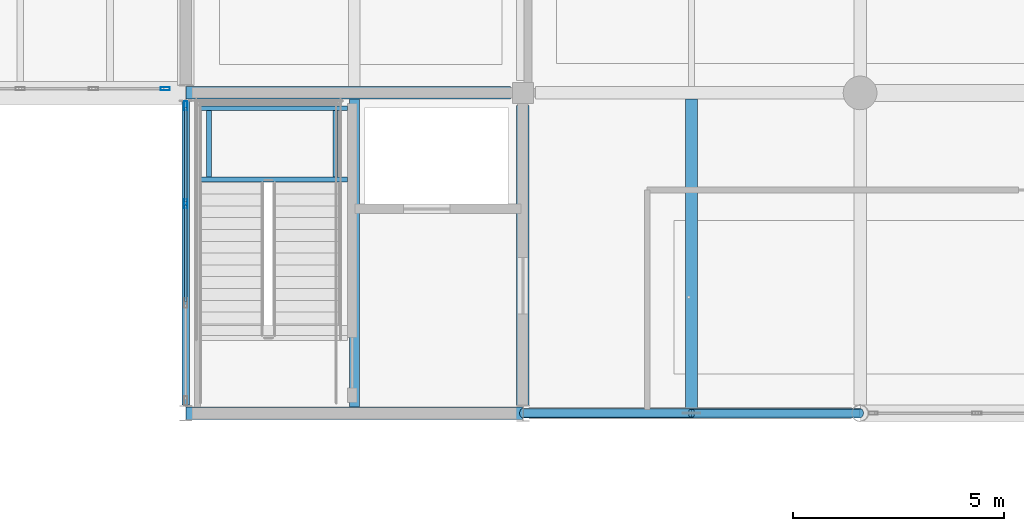
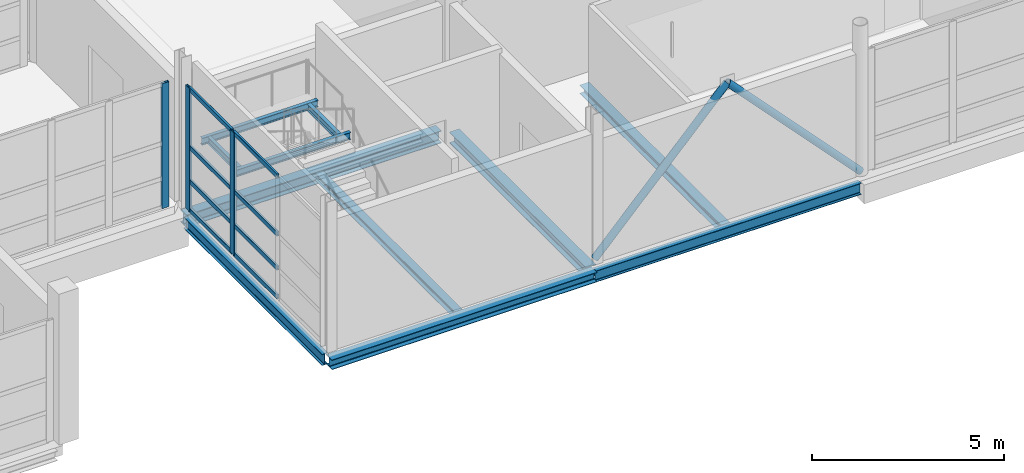
# One storey, part 45 of 141: 13 members, 11 beams, 2 elements without a shape of their own.
"""IFC4 building model written with IfcOpenShell, lengths in metres."""

from ifc_helpers import new_model, si_unit, direction, frame, origin, origin_2d, place, context, subcontext, project, spatial, hollow_rectangle, hollow_circle, i_section, extrude, material, material_profile, profile_set, type_object, element, aggregate, save


model = new_model("IFC4")

# Units and contexts
model_context = context("Model", 3, precision=1e-05, world=origin(), true_north=direction((0.0, 1.0)))
body_context = subcontext(model_context, "Body", "Model", "MODEL_VIEW")
ifc_project = project(units=[si_unit("LENGTHUNIT", "METRE"), si_unit("AREAUNIT", "SQUARE_METRE"), si_unit("VOLUMEUNIT", "CUBIC_METRE"), si_unit("PLANEANGLEUNIT", "RADIAN"), si_unit("MASSUNIT", "GRAM", prefix="KILO")], contexts=[model_context])

# Site, building, storey
site_placement = place(None, origin())
site = spatial("IfcSite", under=ifc_project, at=site_placement, CompositionType="ELEMENT")
building_placement = place(site_placement, origin())
building = spatial("IfcBuilding", under=site, at=building_placement, Name="Khelvaren Railside Concert Hall", CompositionType="ELEMENT")
storey_placement = place(building_placement, frame((0.0, 0.0, 10.199951171875)))
storey = spatial("IfcBuildingStorey", under=building, at=storey_placement, Name="L02", CompositionType="ELEMENT", Elevation=10.199951171875)

# Beams
ifc_material_1 = material(Name="Steel S355", Category="steel")
ifc_material_profile_1 = material_profile(ifc_material_1, i_section(OverallWidth=0.300048828125, OverallDepth=0.389892578125, WebThickness=0.010986328125, FlangeThickness=0.01904296875, FilletRadius=0.027099609375, at=origin_2d()), Name="HEA 400")
ifc_profile_set_1 = profile_set([ifc_material_profile_1], Name="Steel S355")
beam_type_1 = type_object("IfcBeamType", Name="BM23", PredefinedType="BEAM", material=ifc_profile_set_1)
beam_1_placement = place(storey_placement, frame((144.010009765625, 7.60009765625, -0.48486328125), z_axis=(1.0, 0.0, 0.0), x_axis=(0.0, 1.0, 0.0)))
element("IfcBeam", 1, at=beam_1_placement, inside=storey, type_object=beam_type_1, Name="V2 L02 Beam X2.1", PredefinedType="BEAM", context=body_context, shape_type="SweptSolid", body=[
    extrude(i_section(OverallWidth=0.300048828125, OverallDepth=0.389892578125, WebThickness=0.010986328125, FlangeThickness=0.01904296875, FilletRadius=0.027099609375, at=origin_2d()), origin(), (0.0, 0.0, 1.0), 7.68994140625),
])
ifc_material_profile_2 = material_profile(ifc_material_1, i_section(OverallWidth=0.300048828125, OverallDepth=0.35009765625, WebThickness=0.010009765625, FlangeThickness=0.017578125, FilletRadius=0.027099609375, at=origin_2d()), Name="HEA 360")
ifc_profile_set_2 = profile_set([ifc_material_profile_2], Name="Steel S355")
beam_type_2 = type_object("IfcBeamType", Name="BM73", PredefinedType="BEAM", material=ifc_profile_set_2)
beam_2_placement = place(storey_placement, frame((152.0, 0.179931640625, -0.46484375), z_axis=(0.0, 1.0, 0.0), x_axis=(-1.0, 0.0, 0.0)))
element("IfcBeam", 2, at=beam_2_placement, inside=storey, type_object=beam_type_2, Name="V2 L02 Beam Y2.1", PredefinedType="BEAM", context=body_context, shape_type="SweptSolid", body=[
    extrude(i_section(OverallWidth=0.300048828125, OverallDepth=0.35009765625, WebThickness=0.010009765625, FlangeThickness=0.017578125, FilletRadius=0.027099609375, at=origin_2d()), origin(), (0.0, 0.0, 1.0), 7.1201171875),
])
ifc_material_profile_3 = material_profile(ifc_material_1, i_section(OverallWidth=0.110107421875, OverallDepth=0.219970703125, WebThickness=0.005859375, FlangeThickness=0.00927734375, FilletRadius=0.011962890625, at=origin_2d()), Name="IPE 220")
ifc_profile_set_3 = profile_set([ifc_material_profile_3], Name="Steel S355")
beam_type_3 = type_object("IfcBeamType", Name="BM87", PredefinedType="BEAM", material=ifc_profile_set_3)
for number, where, z_axis, x_axis, name in (
    (3, (144.344970703125, 5.544921875, 2.090087890625), (1.0, 0.0, 0.0), (0.0, 1.0, 0.0), "ST-03 L02 Half-Landing Front Beam"),
    (4, (144.344970703125, 7.239990234375, 2.090087890625), (1.0, 0.0, 0.0), (0.0, 1.0, 0.0), "ST-03 L02 Half-Landing Rear Beam"),
):
    element("IfcBeam", number, at=place(storey_placement, frame(where, z_axis=z_axis, x_axis=x_axis)), inside=storey, type_object=beam_type_3, Name=name, PredefinedType="BEAM", context=body_context, shape_type="SweptSolid", body=[
        extrude(i_section(OverallWidth=0.110107421875, OverallDepth=0.219970703125, WebThickness=0.005859375, FlangeThickness=0.00927734375, FilletRadius=0.011962890625, at=origin_2d()), origin(), (0.0, 0.0, 1.0), 3.4951171875),
    ])
for number, where, z_axis, x_axis, name in (
    (5, (144.550048828125, 5.60009765625, 2.090087890625), (0.0, 1.0, 0.0), (-1.0, 0.0, 0.0), "ST-03 L02 Half-Landing Side Tie W"),
    (6, (147.550048828125, 5.60009765625, 2.090087890625), (0.0, 1.0, 0.0), (-1.0, 0.0, 0.0), "ST-03 L02 Half-Landing Side Tie E"),
):
    element("IfcBeam", number, at=place(storey_placement, frame(where, z_axis=z_axis, x_axis=x_axis)), inside=storey, type_object=beam_type_3, Name=name, PredefinedType="BEAM", context=body_context, shape_type="SweptSolid", body=[
        extrude(i_section(OverallWidth=0.110107421875, OverallDepth=0.219970703125, WebThickness=0.005859375, FlangeThickness=0.00927734375, FilletRadius=0.011962890625, at=origin_2d()), origin(), (0.0, 0.0, 1.0), 1.5849609375),
    ])

# Members
ifc_material_profile_4 = material_profile(ifc_material_1, hollow_circle(Radius=0.109619140625, WallThickness=0.012451171875, at=origin_2d()), Name="CHS 219.1x12.5")
ifc_profile_set_4 = profile_set([ifc_material_profile_4], Name="Steel S355")
member_type_1 = type_object("IfcMemberType", Name="BR37", PredefinedType="BRACE", material=ifc_profile_set_4)
for number, where, z_axis, x_axis, name in (
    (7, (152.0, 0.0, 0.050048828125), (0.687937954056, 0.0, 0.725769502921), (0.0, 1.0, 0.0), "V2 L02 Seismic Chevron Brace 53"),
    (8, (160.0, 0.0, 0.050048828125), (-0.687937954056, 0.0, 0.725769502921), (0.0, -1.0, 0.0), "V2 L02 Seismic Chevron Brace 54"),
):
    element("IfcMember", number, at=place(storey_placement, frame(where, z_axis=z_axis, x_axis=x_axis)), inside=storey, type_object=member_type_1, Name=name, PredefinedType="BRACE", context=body_context, shape_type="SweptSolid", body=[
        extrude(hollow_circle(Radius=0.109619140625, WallThickness=0.012451171875, at=origin_2d()), origin(), (0.0, 0.0, 1.0), 5.814453125),
    ])

# Curtain wall, members
ifc_material_2 = material(Name="Double-glazed clear foyer glass", Category="glass")
curtain_wall_type_1 = type_object("IfcCurtainWallType", Name="CW64", PredefinedType="USERDEFINED", material=ifc_material_2)
curtain_wall_1_placement = place(storey_placement, origin())
curtain_wall_1 = element("IfcCurtainWall", 9, at=curtain_wall_1_placement, inside=storey, type_object=curtain_wall_type_1, Name="Unitised Curtain Wall CW-V2-L02-W-0", ObjectType="UNITISED CURTAIN WALL", PredefinedType="USERDEFINED")
ifc_material_3 = material(Name="Anodised architectural aluminium 6063-T6", Category="aluminium")
ifc_material_profile_5 = material_profile(ifc_material_3, hollow_rectangle(XDim=0.074951171875, YDim=0.219970703125, WallThickness=0.0048828125, InnerFilletRadius=0.0029296875, OuterFilletRadius=0.0048828125, at=origin_2d()), Name="CWM 75x220x5")
ifc_profile_set_5 = profile_set([ifc_material_profile_5], Name="Anodised architectural aluminium 6063-T6")
member_type_2 = type_object("IfcMemberType", Name="CWM13", PredefinedType="MULLION", material=ifc_profile_set_5)
member_1_placement = place(storey_placement, frame((144.0, 4.972412109375, 0.0), z_axis=(0.0, 0.0, 1.0), x_axis=(-1.0, 0.0, 0.0)))
member_1 = element("IfcMember", 10, at=member_1_placement, type_object=member_type_2, Name="CW64 mullion 3", PredefinedType="MULLION", context=body_context, shape_type="SweptSolid", body=[
    extrude(hollow_rectangle(XDim=0.074951171875, YDim=0.219970703125, WallThickness=0.0048828125, InnerFilletRadius=0.0029296875, OuterFilletRadius=0.0048828125, at=origin_2d()), origin(), (0.0, 0.0, 1.0), 3.91015625),
])
member_2_placement = place(storey_placement, frame((144.0, 7.294921875, 0.0), z_axis=(0.0, 0.0, 1.0), x_axis=(-1.0, 0.0, 0.0)))
member_2 = element("IfcMember", 11, at=member_2_placement, type_object=member_type_2, Name="CW64 mullion 4", PredefinedType="MULLION", context=body_context, shape_type="SweptSolid", body=[
    extrude(hollow_rectangle(XDim=0.074951171875, YDim=0.219970703125, WallThickness=0.0048828125, InnerFilletRadius=0.0029296875, OuterFilletRadius=0.0048828125, at=origin_2d()), origin(), (0.0, 0.0, 1.0), 3.91015625),
])

# Curtain wall, member
curtain_wall_type_2 = type_object("IfcCurtainWallType", Name="CW47", PredefinedType="USERDEFINED", material=ifc_material_2)
curtain_wall_2_placement = place(storey_placement, origin())
curtain_wall_2 = element("IfcCurtainWall", 12, at=curtain_wall_2_placement, inside=storey, type_object=curtain_wall_type_2, Name="Unitised Curtain Wall CW-LB2-L02-S", ObjectType="UNITISED CURTAIN WALL", PredefinedType="USERDEFINED")
member_3_placement = place(storey_placement, frame((143.512451171875, 7.699951171875, 0.0), z_axis=(0.0, 0.0, 1.0), x_axis=(0.0, -1.0, 0.0)))
member_3 = element("IfcMember", 13, at=member_3_placement, type_object=member_type_2, Name="CW47 mullion 1", PredefinedType="MULLION", context=body_context, shape_type="SweptSolid", body=[
    extrude(hollow_rectangle(XDim=0.074951171875, YDim=0.219970703125, WallThickness=0.0048828125, InnerFilletRadius=0.0029296875, OuterFilletRadius=0.0048828125, at=origin_2d()), origin(), (0.0, 0.0, 1.0), 3.97998046875),
])
aggregate(curtain_wall_2, [member_3])

# Member
ifc_material_profile_6 = material_profile(ifc_material_3, hollow_rectangle(XDim=0.06494140625, YDim=0.139892578125, WallThickness=0.00390625, InnerFilletRadius=0.001953125, OuterFilletRadius=0.00390625, at=origin_2d()), Name="CWT 65x140x4")
ifc_profile_set_6 = profile_set([ifc_material_profile_6], Name="Anodised architectural aluminium 6063-T6")
member_type_3 = type_object("IfcMemberType", Name="CWT72", PredefinedType="USERDEFINED", material=ifc_profile_set_6)
member_4_placement = place(storey_placement, frame((144.0, 2.64990234375, 0.032470703125), z_axis=(0.0, 1.0, 0.0), x_axis=(-1.0, 0.0, 0.0)))
member_4 = element("IfcMember", 14, at=member_4_placement, type_object=member_type_3, Name="CW64 transom 2.1", ObjectType="TRANSOM", PredefinedType="USERDEFINED", context=body_context, shape_type="SweptSolid", body=[
    extrude(hollow_rectangle(XDim=0.06494140625, YDim=0.139892578125, WallThickness=0.00390625, InnerFilletRadius=0.001953125, OuterFilletRadius=0.00390625, at=origin_2d()), origin(), (0.0, 0.0, 1.0), 2.28515625),
])

member_5_placement = place(storey_placement, frame((144.0, 2.64990234375, 0.949951171875), z_axis=(0.0, 1.0, 0.0), x_axis=(-1.0, 0.0, 0.0)))
member_5 = element("IfcMember", 15, at=member_5_placement, type_object=member_type_3, Name="CW64 transom 2.2", ObjectType="TRANSOM", PredefinedType="USERDEFINED", context=body_context, shape_type="SweptSolid", body=[
    extrude(hollow_rectangle(XDim=0.06494140625, YDim=0.139892578125, WallThickness=0.00390625, InnerFilletRadius=0.001953125, OuterFilletRadius=0.00390625, at=origin_2d()), origin(), (0.0, 0.0, 1.0), 2.28515625),
])

member_6_placement = place(storey_placement, frame((144.0, 2.64990234375, 2.033203125), z_axis=(0.0, 1.0, 0.0), x_axis=(-1.0, 0.0, 0.0)))
member_6 = element("IfcMember", 16, at=member_6_placement, type_object=member_type_3, Name="CW64 transom 2.3", ObjectType="TRANSOM", PredefinedType="USERDEFINED", context=body_context, shape_type="SweptSolid", body=[
    extrude(hollow_rectangle(XDim=0.06494140625, YDim=0.139892578125, WallThickness=0.00390625, InnerFilletRadius=0.001953125, OuterFilletRadius=0.00390625, at=origin_2d()), origin(), (0.0, 0.0, 1.0), 2.28515625),
])

member_7_placement = place(storey_placement, frame((144.0, 2.64990234375, 3.87744140625), z_axis=(0.0, 1.0, 0.0), x_axis=(-1.0, 0.0, 0.0)))
member_7 = element("IfcMember", 17, at=member_7_placement, type_object=member_type_3, Name="CW64 transom 2.4", ObjectType="TRANSOM", PredefinedType="USERDEFINED", context=body_context, shape_type="SweptSolid", body=[
    extrude(hollow_rectangle(XDim=0.06494140625, YDim=0.139892578125, WallThickness=0.00390625, InnerFilletRadius=0.001953125, OuterFilletRadius=0.00390625, at=origin_2d()), origin(), (0.0, 0.0, 1.0), 2.28515625),
])

member_8_placement = place(storey_placement, frame((144.0, 5.010009765625, 0.032470703125), z_axis=(0.0, 1.0, 0.0), x_axis=(-1.0, 0.0, 0.0)))
member_8 = element("IfcMember", 18, at=member_8_placement, type_object=member_type_3, Name="CW64 transom 3.1", ObjectType="TRANSOM", PredefinedType="USERDEFINED", context=body_context, shape_type="SweptSolid", body=[
    extrude(hollow_rectangle(XDim=0.06494140625, YDim=0.139892578125, WallThickness=0.00390625, InnerFilletRadius=0.001953125, OuterFilletRadius=0.00390625, at=origin_2d()), origin(), (0.0, 0.0, 1.0), 2.24755859375),
])

member_9_placement = place(storey_placement, frame((144.0, 5.010009765625, 0.949951171875), z_axis=(0.0, 1.0, 0.0), x_axis=(-1.0, 0.0, 0.0)))
member_9 = element("IfcMember", 19, at=member_9_placement, type_object=member_type_3, Name="CW64 transom 3.2", ObjectType="TRANSOM", PredefinedType="USERDEFINED", context=body_context, shape_type="SweptSolid", body=[
    extrude(hollow_rectangle(XDim=0.06494140625, YDim=0.139892578125, WallThickness=0.00390625, InnerFilletRadius=0.001953125, OuterFilletRadius=0.00390625, at=origin_2d()), origin(), (0.0, 0.0, 1.0), 2.24755859375),
])

member_10_placement = place(storey_placement, frame((144.0, 5.010009765625, 2.033203125), z_axis=(0.0, 1.0, 0.0), x_axis=(-1.0, 0.0, 0.0)))
member_10 = element("IfcMember", 20, at=member_10_placement, type_object=member_type_3, Name="CW64 transom 3.3", ObjectType="TRANSOM", PredefinedType="USERDEFINED", context=body_context, shape_type="SweptSolid", body=[
    extrude(hollow_rectangle(XDim=0.06494140625, YDim=0.139892578125, WallThickness=0.00390625, InnerFilletRadius=0.001953125, OuterFilletRadius=0.00390625, at=origin_2d()), origin(), (0.0, 0.0, 1.0), 2.24755859375),
])

member_11_placement = place(storey_placement, frame((144.0, 5.010009765625, 3.87744140625), z_axis=(0.0, 1.0, 0.0), x_axis=(-1.0, 0.0, 0.0)))
member_11 = element("IfcMember", 21, at=member_11_placement, type_object=member_type_3, Name="CW64 transom 3.4", ObjectType="TRANSOM", PredefinedType="USERDEFINED", context=body_context, shape_type="SweptSolid", body=[
    extrude(hollow_rectangle(XDim=0.06494140625, YDim=0.139892578125, WallThickness=0.00390625, InnerFilletRadius=0.001953125, OuterFilletRadius=0.00390625, at=origin_2d()), origin(), (0.0, 0.0, 1.0), 2.24755859375),
])

aggregate(curtain_wall_1, [member_1, member_2, member_4, member_5, member_6, member_7, member_8, member_9, member_10, member_11])

# Beams
ifc_material_profile_7 = material_profile(ifc_material_1, i_section(OverallWidth=0.280029296875, OverallDepth=0.27001953125, WebThickness=0.008056640625, FlangeThickness=0.012939453125, FilletRadius=0.02392578125, at=origin_2d()), Name="HEA 280")
ifc_profile_set_7 = profile_set([ifc_material_profile_7], Name="Steel S355")
beam_type_4 = type_object("IfcBeamType", Name="JS46", PredefinedType="JOIST", material=ifc_profile_set_7)
beam_3_placement = place(storey_placement, frame((156.0, 0.0849609375, -0.425048828125), z_axis=(0.0, 1.0, 0.0), x_axis=(-1.0, 0.0, 0.0)))
element("IfcBeam", 22, at=beam_3_placement, inside=storey, type_object=beam_type_4, Name="V2 L02 Secondary Joist 2.1", PredefinedType="JOIST", context=body_context, shape_type="SweptSolid", body=[
    extrude(i_section(OverallWidth=0.280029296875, OverallDepth=0.27001953125, WebThickness=0.008056640625, FlangeThickness=0.012939453125, FilletRadius=0.02392578125, at=origin_2d()), origin(), (0.0, 0.0, 1.0), 7.364990234375),
])
ifc_material_profile_8 = material_profile(ifc_material_1, i_section(OverallWidth=0.239990234375, OverallDepth=0.22998046875, WebThickness=0.007568359375, FlangeThickness=0.011962890625, FilletRadius=0.02099609375, at=origin_2d()), Name="HEA 240")
ifc_profile_set_8 = profile_set([ifc_material_profile_8], Name="Steel S355")
beam_type_5 = type_object("IfcBeamType", Name="JS76", PredefinedType="JOIST", material=ifc_profile_set_8)
beam_4_placement = place(storey_placement, frame((148.0, 0.14990234375, -0.405029296875), z_axis=(0.0, 1.0, 0.0), x_axis=(-1.0, 0.0, 0.0)))
element("IfcBeam", 23, at=beam_4_placement, inside=storey, type_object=beam_type_5, Name="V2 L02 Secondary Joist 1.1", PredefinedType="JOIST", context=body_context, shape_type="SweptSolid", body=[
    extrude(i_section(OverallWidth=0.239990234375, OverallDepth=0.22998046875, WebThickness=0.007568359375, FlangeThickness=0.011962890625, FilletRadius=0.02099609375, at=origin_2d()), origin(), (0.0, 0.0, 1.0), 7.300048828125),
])
ifc_material_profile_9 = material_profile(ifc_material_1, i_section(OverallWidth=0.300048828125, OverallDepth=0.31005859375, WebThickness=0.009033203125, FlangeThickness=0.015380859375, FilletRadius=0.027099609375, at=origin_2d()), Name="HEA 320")
ifc_profile_set_9 = profile_set([ifc_material_profile_9], Name="Steel S355")
beam_type_6 = type_object("IfcBeamType", Name="SP66", PredefinedType="SPANDREL", material=ifc_profile_set_9)
beam_5_placement = place(storey_placement, frame((144.010009765625, 0.0, -0.445068359375), z_axis=(1.0, 0.0, 0.0), x_axis=(0.0, 1.0, 0.0)))
element("IfcBeam", 24, at=beam_5_placement, inside=storey, type_object=beam_type_6, Name="V2 L02 Spandrel X1.1", PredefinedType="SPANDREL", context=body_context, shape_type="SweptSolid", body=[
    extrude(i_section(OverallWidth=0.300048828125, OverallDepth=0.31005859375, WebThickness=0.009033203125, FlangeThickness=0.015380859375, FilletRadius=0.027099609375, at=origin_2d()), origin(), (0.0, 0.0, 1.0), 7.97998046875),
])
ifc_material_profile_10 = material_profile(ifc_material_1, i_section(OverallWidth=0.169921875, OverallDepth=0.360107421875, WebThickness=0.008056640625, FlangeThickness=0.0126953125, FilletRadius=0.01806640625, at=origin_2d()), Name="IPE 360")
ifc_profile_set_10 = profile_set([ifc_material_profile_10], Name="Steel S355")
beam_type_7 = type_object("IfcBeamType", Name="SP74", PredefinedType="SPANDREL", material=ifc_profile_set_10)
beam_6_placement = place(storey_placement, frame((152.010009765625, 0.0, -0.469970703125), z_axis=(1.0, 0.0, 0.0), x_axis=(0.0, 1.0, 0.0)))
element("IfcBeam", 25, at=beam_6_placement, inside=storey, type_object=beam_type_7, Name="V2 L02 Spandrel X1.2", PredefinedType="SPANDREL", context=body_context, shape_type="SweptSolid", body=[
    extrude(i_section(OverallWidth=0.169921875, OverallDepth=0.360107421875, WebThickness=0.008056640625, FlangeThickness=0.0126953125, FilletRadius=0.01806640625, at=origin_2d()), origin(), (0.0, 0.0, 1.0), 7.97998046875),
])
beam_7_placement = place(storey_placement, frame((144.0, 0.199951171875, -0.469970703125), z_axis=(0.0, 1.0, 0.0), x_axis=(-1.0, 0.0, 0.0)))
element("IfcBeam", 26, at=beam_7_placement, inside=storey, type_object=beam_type_7, Name="V2 L02 Spandrel Y1.1", PredefinedType="SPANDREL", context=body_context, shape_type="SweptSolid", body=[
    extrude(i_section(OverallWidth=0.169921875, OverallDepth=0.360107421875, WebThickness=0.008056640625, FlangeThickness=0.0126953125, FilletRadius=0.01806640625, at=origin_2d()), origin(), (0.0, 0.0, 1.0), 7.219970703125),
])

save(model, "model.ifc")
